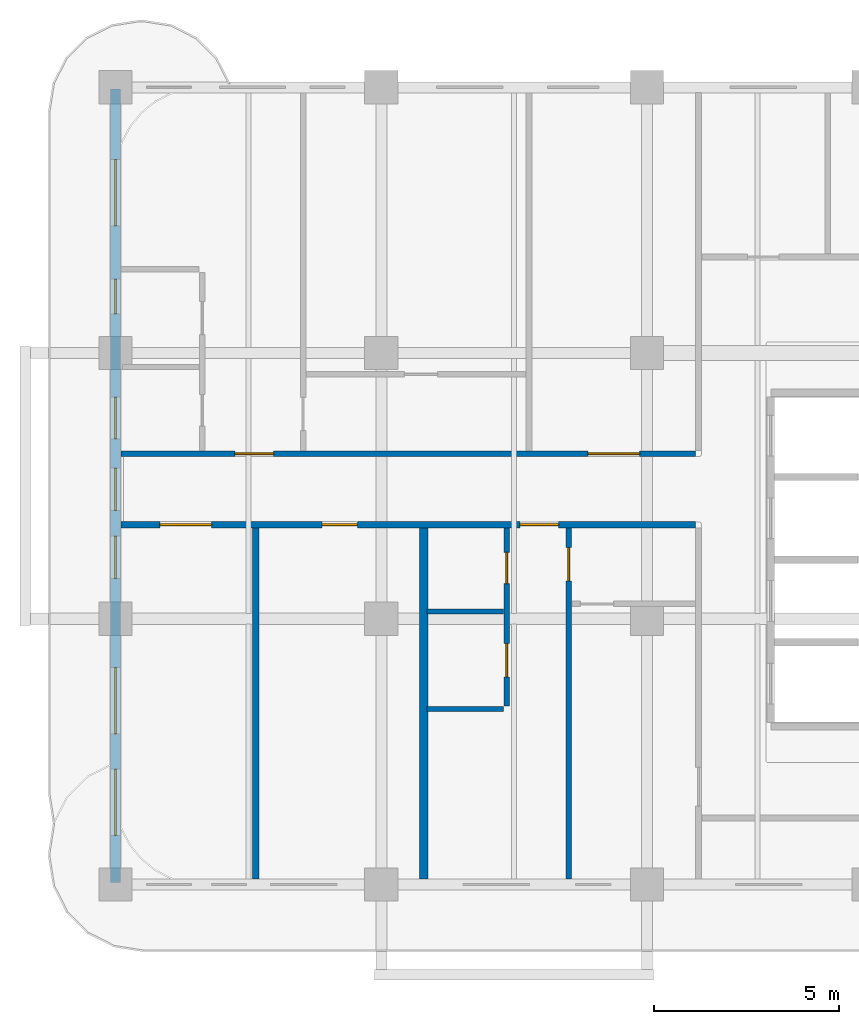
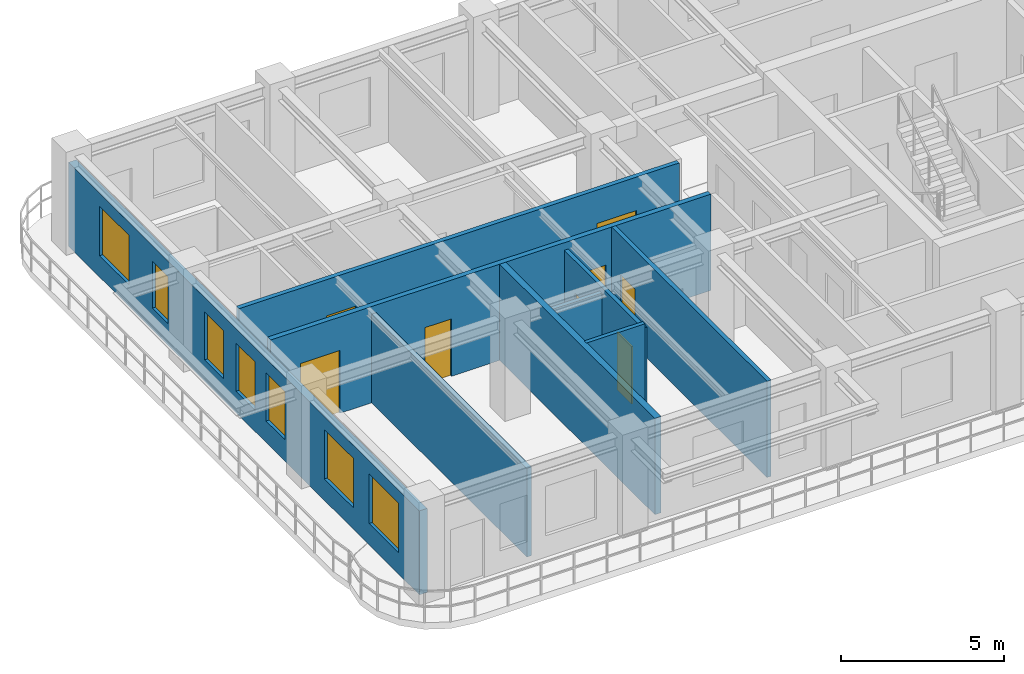
# One storey, part 2 of 8: 9 walls, 8 doors, 7 windows, 15 openings.
"""IFC4 building model written with IfcOpenShell, lengths in metres."""

from ifc_helpers import new_model, si_unit, derived_unit, direction, frame, frame_2d, origin, place, context, subcontext, project, spatial, rectangle, extrude, source, transform, mapped, material, layer, layer_set, type_object, type_shapes, element, fill, save


model = new_model("IFC4")

# Units and contexts
model_context = context("Model", 3, precision=1e-05, world=origin(), true_north=direction((0.0, 1.0)))
body_context = subcontext(model_context, "Body", "Model", "MODEL_VIEW")
ifc_project = project(units=[si_unit("LENGTHUNIT", "METRE"), si_unit("AREAUNIT", "SQUARE_METRE"), si_unit("VOLUMEUNIT", "CUBIC_METRE"), si_unit("PLANEANGLEUNIT", "RADIAN"), si_unit("MASSUNIT", "GRAM", prefix="KILO"), si_unit("THERMODYNAMICTEMPERATUREUNIT", "KELVIN"), si_unit("POWERUNIT", "WATT"), derived_unit("THERMALTRANSMITTANCEUNIT", [(si_unit("POWERUNIT", "WATT"), 1), (si_unit("AREAUNIT", "SQUARE_METRE"), -1), (si_unit("THERMODYNAMICTEMPERATUREUNIT", "KELVIN"), -1)])], contexts=[model_context])

# Site, building, storey
site_placement = place(None, origin())
site = spatial("IfcSite", under=ifc_project, at=site_placement, CompositionType="ELEMENT")
building_placement = place(site_placement, origin())
building = spatial("IfcBuilding", under=site, at=building_placement, Name="Zahravan Archway Hotel and Residences", CompositionType="ELEMENT")
storey_placement = place(building_placement, frame((0.0, 0.0, 228.85009765625)))
storey = spatial("IfcBuildingStorey", under=building, at=storey_placement, Name="L57", CompositionType="ELEMENT", Elevation=228.85009765625)

# Wall, openings, windows
ifc_material_1 = material(Name="Honed Red-Ochre Sandstone & Insulated Block", Category="masonry")
ifc_layer_1 = layer(ifc_material_1, 0.280029296875, Name="Honed Red-Ochre Sandstone & Insulated Block", Category="masonry")
ifc_layer_set_1 = layer_set([ifc_layer_1], Name="Honed Red-Ochre Sandstone & Insulated Block")
wall_type_1 = type_object("IfcWallType", Name="EW-LOG-280", PredefinedType="SOLIDWALL", material=ifc_layer_set_1)
wall_1_placement = place(storey_placement, frame((14.39990234375, 0.050048828125, 0.0), z_axis=(0.0, 0.0, 1.0), x_axis=(0.0, 1.0, 0.0)))
wall_1 = element("IfcWall", 1, at=wall_1_placement, inside=storey, type_object=wall_type_1, Name="L57 Exterior Sandstone Wall WA-W", PredefinedType="SOLIDWALL", context=body_context, shape_type="SweptSolid", body=[
    extrude(rectangle(XDim=21.5, YDim=0.280029296875, at=frame_2d((10.75, 0.0))), origin(), (0.0, 0.0, 1.0), 3.135009765625),
])
opening_1_placement = place(wall_1_placement, frame((1.27490234375, 0.0, 0.800048828125)))
opening_1 = element("IfcOpeningElement", 2, at=opening_1_placement, cuts=wall_1, Name="Opening W-02", PredefinedType="OPENING", context=body_context, shape_type="SweptSolid", body=[
    extrude(rectangle(XDim=1.800048828125, YDim=1.85009765625, at=frame_2d((0.89990234375, 0.925048828125))), frame((0.0, 0.14990234375, 0.0), z_axis=(0.0, -1.0, 0.0), x_axis=(1.0, 0.0, 0.0)), (0.0, 0.0, 1.0), 0.300048828125),
])
opening_2_placement = place(wall_1_placement, frame((4.02490234375, 0.0, 0.800048828125)))
opening_2 = element("IfcOpeningElement", 3, at=opening_2_placement, cuts=wall_1, Name="Opening W-02", PredefinedType="OPENING", context=body_context, shape_type="SweptSolid", body=[
    extrude(rectangle(XDim=1.800048828125, YDim=1.85009765625, at=frame_2d((0.89990234375, 0.925048828125))), frame((0.0, 0.14990234375, 0.0), z_axis=(0.0, -1.0, 0.0), x_axis=(1.0, 0.0, 0.0)), (0.0, 0.0, 1.0), 0.300048828125),
])
opening_3_placement = place(wall_1_placement, frame((8.24609375, 0.0, 0.800048828125)))
opening_3 = element("IfcOpeningElement", 4, at=opening_3_placement, cuts=wall_1, Name="Opening W-05", PredefinedType="OPENING", context=body_context, shape_type="SweptSolid", body=[
    extrude(rectangle(XDim=1.14990234375, YDim=1.800048828125, at=frame_2d((0.574951171875, 0.89990234375))), frame((0.0, 0.14990234375, 0.0), z_axis=(0.0, -1.0, 0.0), x_axis=(1.0, 0.0, 0.0)), (0.0, 0.0, 1.0), 0.300048828125),
])
opening_4_placement = place(wall_1_placement, frame((10.0849609375, 0.0, 0.800048828125)))
opening_4 = element("IfcOpeningElement", 5, at=opening_4_placement, cuts=wall_1, Name="Opening W-05", PredefinedType="OPENING", context=body_context, shape_type="SweptSolid", body=[
    extrude(rectangle(XDim=1.14990234375, YDim=1.800048828125, at=frame_2d((0.574951171875, 0.89990234375))), frame((0.0, 0.14990234375, 0.0), z_axis=(0.0, -1.0, 0.0), x_axis=(1.0, 0.0, 0.0)), (0.0, 0.0, 1.0), 0.300048828125),
])
opening_5_placement = place(wall_1_placement, frame((12.013916015625, 0.0, 0.800048828125)))
opening_5 = element("IfcOpeningElement", 6, at=opening_5_placement, cuts=wall_1, Name="Opening W-05", PredefinedType="OPENING", context=body_context, shape_type="SweptSolid", body=[
    extrude(rectangle(XDim=1.14990234375, YDim=1.800048828125, at=frame_2d((0.574951171875, 0.89990234375))), frame((0.0, 0.14990234375, 0.0), z_axis=(0.0, -1.0, 0.0), x_axis=(1.0, 0.0, 0.0)), (0.0, 0.0, 1.0), 0.300048828125),
])
opening_6_placement = place(wall_1_placement, frame((15.406005859375, 0.0, 0.800048828125)))
opening_6 = element("IfcOpeningElement", 7, at=opening_6_placement, cuts=wall_1, Name="Opening W-04", PredefinedType="OPENING", context=body_context, shape_type="SweptSolid", body=[
    extrude(rectangle(XDim=0.949951171875, YDim=1.75, at=frame_2d((0.47509765625, 0.875))), frame((0.0, 0.14990234375, 0.0), z_axis=(0.0, -1.0, 0.0), x_axis=(1.0, 0.0, 0.0)), (0.0, 0.0, 1.0), 0.300048828125),
])
opening_7_placement = place(wall_1_placement, frame((17.7890625, 0.0, 0.800048828125)))
opening_7 = element("IfcOpeningElement", 8, at=opening_7_placement, cuts=wall_1, Name="Opening W-02", PredefinedType="OPENING", context=body_context, shape_type="SweptSolid", body=[
    extrude(rectangle(XDim=1.800048828125, YDim=1.85009765625, at=frame_2d((0.89990234375, 0.925048828125))), frame((0.0, 0.14990234375, 0.0), z_axis=(0.0, -1.0, 0.0), x_axis=(1.0, 0.0, 0.0)), (0.0, 0.0, 1.0), 0.300048828125),
])
ifc_material_2 = material(Name="Bronze-Anodized Thermal-Break Aluminium & Low-E Glass", Category="aluminium")
window_type_1 = type_object("IfcWindowType", Name="WIN-NAR-950", PartitioningType="SINGLE_PANEL", PredefinedType="WINDOW", material=ifc_material_2)
shared_shape_1 = source(origin(), body_context, "Body", "SweptSolid", [
    extrude(rectangle(XDim=0.949951171875, YDim=1.75, at=frame_2d((0.47509765625, 0.875))), frame((0.0, 0.030029296875, 0.0), z_axis=(0.0, -1.0, 0.0), x_axis=(1.0, 0.0, 0.0)), (0.0, 0.0, 1.0), 0.06005859375),
])
type_shapes(window_type_1, [shared_shape_1])
window_1_placement = place(opening_6_placement, origin())
window_1 = element("IfcWindow", 9, at=window_1_placement, inside=storey, type_object=window_type_1, Name="L57 Loggia Window 25", OverallHeight=1.75, OverallWidth=0.949951171875, PartitioningType="SINGLE_PANEL", PredefinedType="WINDOW", context=body_context, shape_type="MappedRepresentation", body=[
    mapped(shared_shape_1, transform((0.0, 0.0, 0.0), scale=1.0)),
])
fill(opening_6, window_1)
window_type_2 = type_object("IfcWindowType", Name="WIN-TWR-1800", PartitioningType="DOUBLE_PANEL_VERTICAL", PredefinedType="WINDOW", material=ifc_material_2)
shared_shape_2 = source(origin(), body_context, "Body", "SweptSolid", [
    extrude(rectangle(XDim=1.800048828125, YDim=1.85009765625, at=frame_2d((0.89990234375, 0.925048828125))), frame((0.0, 0.030029296875, 0.0), z_axis=(0.0, -1.0, 0.0), x_axis=(1.0, 0.0, 0.0)), (0.0, 0.0, 1.0), 0.06005859375),
])
type_shapes(window_type_2, [shared_shape_2])
window_2_placement = place(opening_1_placement, origin())
window_2 = element("IfcWindow", 10, at=window_2_placement, inside=storey, type_object=window_type_2, Name="L57 Loggia Window 20", OverallHeight=1.85009765625, OverallWidth=1.800048828125, PartitioningType="DOUBLE_PANEL_VERTICAL", PredefinedType="WINDOW", context=body_context, shape_type="MappedRepresentation", body=[
    mapped(shared_shape_2, transform((0.0, 0.0, 0.0), scale=1.0)),
])
fill(opening_1, window_2)
window_3_placement = place(opening_2_placement, origin())
window_3 = element("IfcWindow", 11, at=window_3_placement, inside=storey, type_object=window_type_2, Name="L57 Loggia Window 21", OverallHeight=1.85009765625, OverallWidth=1.800048828125, PartitioningType="DOUBLE_PANEL_VERTICAL", PredefinedType="WINDOW", context=body_context, shape_type="MappedRepresentation", body=[
    mapped(shared_shape_2, transform((0.0, 0.0, 0.0), scale=1.0)),
])
fill(opening_2, window_3)
window_4_placement = place(opening_7_placement, origin())
window_4 = element("IfcWindow", 12, at=window_4_placement, inside=storey, type_object=window_type_2, Name="L57 Loggia Window 26", OverallHeight=1.85009765625, OverallWidth=1.800048828125, PartitioningType="DOUBLE_PANEL_VERTICAL", PredefinedType="WINDOW", context=body_context, shape_type="MappedRepresentation", body=[
    mapped(shared_shape_2, transform((0.0, 0.0, 0.0), scale=1.0)),
])
fill(opening_7, window_4)
window_type_3 = type_object("IfcWindowType", Name="WIN-TWR-1150", PartitioningType="SINGLE_PANEL", PredefinedType="WINDOW", material=ifc_material_2)
shared_shape_3 = source(origin(), body_context, "Body", "SweptSolid", [
    extrude(rectangle(XDim=1.14990234375, YDim=1.800048828125, at=frame_2d((0.574951171875, 0.89990234375))), frame((0.0, 0.030029296875, 0.0), z_axis=(0.0, -1.0, 0.0), x_axis=(1.0, 0.0, 0.0)), (0.0, 0.0, 1.0), 0.06005859375),
])
type_shapes(window_type_3, [shared_shape_3])
window_5_placement = place(opening_3_placement, origin())
window_5 = element("IfcWindow", 13, at=window_5_placement, inside=storey, type_object=window_type_3, Name="L57 Loggia Window 22", OverallHeight=1.800048828125, OverallWidth=1.14990234375, PartitioningType="SINGLE_PANEL", PredefinedType="WINDOW", context=body_context, shape_type="MappedRepresentation", body=[
    mapped(shared_shape_3, transform((0.0, 0.0, 0.0), scale=1.0)),
])
fill(opening_3, window_5)
window_6_placement = place(opening_4_placement, origin())
window_6 = element("IfcWindow", 14, at=window_6_placement, inside=storey, type_object=window_type_3, Name="L57 Loggia Window 23", OverallHeight=1.800048828125, OverallWidth=1.14990234375, PartitioningType="SINGLE_PANEL", PredefinedType="WINDOW", context=body_context, shape_type="MappedRepresentation", body=[
    mapped(shared_shape_3, transform((0.0, 0.0, 0.0), scale=1.0)),
])
fill(opening_4, window_6)
window_7_placement = place(opening_5_placement, origin())
window_7 = element("IfcWindow", 15, at=window_7_placement, inside=storey, type_object=window_type_3, Name="L57 Loggia Window 24", OverallHeight=1.800048828125, OverallWidth=1.14990234375, PartitioningType="SINGLE_PANEL", PredefinedType="WINDOW", context=body_context, shape_type="MappedRepresentation", body=[
    mapped(shared_shape_3, transform((0.0, 0.0, 0.0), scale=1.0)),
])
fill(opening_5, window_7)

# Wall
ifc_material_3 = material(Name="Fire-Rated Gypsum & Concrete Block", Category="concrete")
ifc_layer_2 = layer(ifc_material_3, 0.219970703125, Name="Fire-Rated Gypsum & Concrete Block", Category="concrete")
ifc_layer_set_2 = layer_set([ifc_layer_2], Name="Fire-Rated Gypsum & Concrete Block")
wall_type_2 = type_object("IfcWallType", Name="PW-COMP-220", PredefinedType="PARTITIONING", material=ifc_layer_set_2)
wall_2_placement = place(storey_placement, frame((22.75, 0.14794921875, 0.0), z_axis=(0.0, 0.0, 1.0), x_axis=(0.0, 1.0, 0.0)))
element("IfcWall", 16, at=wall_2_placement, inside=storey, type_object=wall_type_2, Name="L57 Partition WAS-R2B", PredefinedType="PARTITIONING", context=body_context, shape_type="SweptSolid", body=[
    extrude(rectangle(XDim=9.511962890625, YDim=0.219970703125, at=frame_2d((4.755859375, 0.0))), origin(), (0.0, 0.0, 1.0), 3.599853515625),
])

# Wall, openings, doors
ifc_layer_3 = layer(ifc_material_3, 0.159912109375, Name="Fire-Rated Gypsum & Concrete Block", Category="concrete")
ifc_layer_set_3 = layer_set([ifc_layer_3], Name="Fire-Rated Gypsum & Concrete Block")
wall_type_3 = type_object("IfcWallType", Name="PW-CORR-160", PredefinedType="PARTITIONING", material=ifc_layer_set_3)
wall_3_placement = place(storey_placement, frame((14.548095703125, 11.669921875, 0.0), z_axis=(0.0, 0.0, 1.0), x_axis=(1.0, 0.0, 0.0)))
wall_3 = element("IfcWall", 17, at=wall_3_placement, inside=storey, type_object=wall_type_3, Name="L57 Partition WA-CN", PredefinedType="PARTITIONING", context=body_context, shape_type="SweptSolid", body=[
    extrude(rectangle(XDim=15.56201171875, YDim=0.159912109375, at=frame_2d((7.781005859375, 0.0))), origin(), (0.0, 0.0, 1.0), 3.599853515625),
])
opening_8_placement = place(wall_3_placement, frame((3.08203125, 0.0, 0.0)))
opening_8 = element("IfcOpeningElement", 18, at=opening_8_placement, cuts=wall_3, Name="Opening D-U1", PredefinedType="OPENING", context=body_context, shape_type="SweptSolid", body=[
    extrude(rectangle(XDim=1.050048828125, YDim=2.25, at=frame_2d((0.52490234375, 1.125))), frame((0.0, 0.08984375, 0.0), z_axis=(0.0, -1.0, 0.0), x_axis=(1.0, 0.0, 0.0)), (0.0, 0.0, 1.0), 0.179931640625),
])
opening_9_placement = place(wall_3_placement, frame((12.652099609375, 0.0, 0.0)))
opening_9 = element("IfcOpeningElement", 19, at=opening_9_placement, cuts=wall_3, Name="Opening D-P1", PredefinedType="OPENING", context=body_context, shape_type="SweptSolid", body=[
    extrude(rectangle(XDim=1.39990234375, YDim=2.35009765625, at=frame_2d((0.699951171875, 1.175048828125))), frame((0.0, 0.08984375, 0.0), z_axis=(0.0, -1.0, 0.0), x_axis=(1.0, 0.0, 0.0)), (0.0, 0.0, 1.0), 0.179931640625),
])
ifc_material_4 = material(Name="Bronze-Anodized Glazed Aluminium", Category="aluminium")
door_type_1 = type_object("IfcDoorType", Name="ID-PUBLIC-1400", OperationType="DOUBLE_DOOR_SINGLE_SWING", PredefinedType="DOOR", material=ifc_material_4)
shared_shape_4 = source(origin(), body_context, "Body", "SweptSolid", [
    extrude(rectangle(XDim=1.39990234375, YDim=2.35009765625, at=frame_2d((0.699951171875, 1.175048828125))), frame((0.0, 0.02490234375, 0.0), z_axis=(0.0, -1.0, 0.0), x_axis=(1.0, 0.0, 0.0)), (0.0, 0.0, 1.0), 0.050048828125),
])
type_shapes(door_type_1, [shared_shape_4])
door_1_placement = place(opening_9_placement, origin())
door_1 = element("IfcDoor", 20, at=door_1_placement, inside=storey, type_object=door_type_1, Name="L57 North Sky Library Door", OperationType="DOUBLE_DOOR_SINGLE_SWING", OverallHeight=2.35009765625, OverallWidth=1.39990234375, PredefinedType="DOOR", context=body_context, shape_type="MappedRepresentation", body=[
    mapped(shared_shape_4, transform((0.0, 0.0, 0.0), scale=1.0)),
])
fill(opening_9, door_1)
ifc_material_5 = material(Name="Hardwood Veneer Timber", Category="wood")
door_type_2 = type_object("IfcDoorType", Name="ID-UNIT-1050", OperationType="NOTDEFINED", PredefinedType="DOOR", material=ifc_material_5)
shared_shape_5 = source(origin(), body_context, "Body", "SweptSolid", [
    extrude(rectangle(XDim=1.050048828125, YDim=2.25, at=frame_2d((0.52490234375, 1.125))), frame((0.0, 0.02490234375, 0.0), z_axis=(0.0, -1.0, 0.0), x_axis=(1.0, 0.0, 0.0)), (0.0, 0.0, 1.0), 0.050048828125),
])
type_shapes(door_type_2, [shared_shape_5])
door_2_placement = place(opening_8_placement, origin())
door_2 = element("IfcDoor", 21, at=door_2_placement, inside=storey, type_object=door_type_2, Name="L57 Flat N1 Entrance Door", OperationType="SINGLE_SWING_RIGHT", OverallHeight=2.25, OverallWidth=1.050048828125, PredefinedType="DOOR", context=body_context, shape_type="MappedRepresentation", body=[
    mapped(shared_shape_5, transform((0.0, 0.0, 0.0), scale=1.0)),
])
fill(opening_8, door_2)

ifc_layer_4 = layer(ifc_material_3, 0.179931640625, Name="Fire-Rated Gypsum & Concrete Block", Category="concrete")
ifc_layer_set_4 = layer_set([ifc_layer_4], Name="Fire-Rated Gypsum & Concrete Block")
wall_type_4 = type_object("IfcWallType", Name="PW-CORR-180", PredefinedType="PARTITIONING", material=ifc_layer_set_4)
wall_4_placement = place(storey_placement, frame((14.548095703125, 9.75, 0.0), z_axis=(0.0, 0.0, 1.0), x_axis=(1.0, 0.0, 0.0)))
wall_4 = element("IfcWall", 22, at=wall_4_placement, inside=storey, type_object=wall_type_4, Name="L57 Partition WA-CS", PredefinedType="PARTITIONING", context=body_context, shape_type="SweptSolid", body=[
    extrude(rectangle(XDim=15.56201171875, YDim=0.179931640625, at=frame_2d((7.781005859375, 0.0))), origin(), (0.0, 0.0, 1.0), 3.599853515625),
])
opening_10_placement = place(wall_4_placement, frame((1.052001953125, 0.0, 0.0)))
opening_10 = element("IfcOpeningElement", 23, at=opening_10_placement, cuts=wall_4, Name="Opening D-P1", PredefinedType="OPENING", context=body_context, shape_type="SweptSolid", body=[
    extrude(rectangle(XDim=1.39990234375, YDim=2.35009765625, at=frame_2d((0.699951171875, 1.175048828125))), frame((0.0, 0.10009765625, 0.0), z_axis=(0.0, -1.0, 0.0), x_axis=(1.0, 0.0, 0.0)), (0.0, 0.0, 1.0), 0.199951171875),
])
opening_11_placement = place(wall_4_placement, frame((5.451904296875, 0.0, 0.0)))
opening_11 = element("IfcOpeningElement", 24, at=opening_11_placement, cuts=wall_4, Name="Opening D-I1", PredefinedType="OPENING", context=body_context, shape_type="SweptSolid", body=[
    extrude(rectangle(XDim=0.949951171875, YDim=2.14990234375, at=frame_2d((0.47509765625, 1.074951171875))), frame((0.0, 0.10009765625, 0.0), z_axis=(0.0, -1.0, 0.0), x_axis=(1.0, 0.0, 0.0)), (0.0, 0.0, 1.0), 0.199951171875),
])
opening_12_placement = place(wall_4_placement, frame((10.806884765625, 0.0, 0.0)))
opening_12 = element("IfcOpeningElement", 25, at=opening_12_placement, cuts=wall_4, Name="Opening D-U1", PredefinedType="OPENING", context=body_context, shape_type="SweptSolid", body=[
    extrude(rectangle(XDim=1.050048828125, YDim=2.25, at=frame_2d((0.52490234375, 1.125))), frame((0.0, 0.10009765625, 0.0), z_axis=(0.0, -1.0, 0.0), x_axis=(1.0, 0.0, 0.0)), (0.0, 0.0, 1.0), 0.199951171875),
])
door_3_placement = place(opening_10_placement, origin())
door_3 = element("IfcDoor", 26, at=door_3_placement, inside=storey, type_object=door_type_1, Name="L57 Cinema Salon Door", OperationType="DOUBLE_DOOR_SINGLE_SWING", OverallHeight=2.35009765625, OverallWidth=1.39990234375, PredefinedType="DOOR", context=body_context, shape_type="MappedRepresentation", body=[
    mapped(shared_shape_4, transform((0.0, 0.0, 0.0), scale=1.0)),
])
fill(opening_10, door_3)
door_type_3 = type_object("IfcDoorType", Name="ID-INT-950", OperationType="NOTDEFINED", PredefinedType="DOOR", material=ifc_material_5)
shared_shape_6 = source(origin(), body_context, "Body", "SweptSolid", [
    extrude(rectangle(XDim=0.949951171875, YDim=2.14990234375, at=frame_2d((0.47509765625, 1.074951171875))), frame((0.0, 0.02490234375, 0.0), z_axis=(0.0, -1.0, 0.0), x_axis=(1.0, 0.0, 0.0)), (0.0, 0.0, 1.0), 0.050048828125),
])
type_shapes(door_type_3, [shared_shape_6])
door_4_placement = place(opening_11_placement, origin())
door_4 = element("IfcDoor", 27, at=door_4_placement, inside=storey, type_object=door_type_3, Name="L57 Study Office Door", OperationType="SINGLE_SWING_RIGHT", OverallHeight=2.14990234375, OverallWidth=0.949951171875, PredefinedType="DOOR", context=body_context, shape_type="MappedRepresentation", body=[
    mapped(shared_shape_6, transform((0.0, 0.0, 0.0), scale=1.0)),
])
fill(opening_11, door_4)
door_5_placement = place(opening_12_placement, origin())
door_5 = element("IfcDoor", 28, at=door_5_placement, inside=storey, type_object=door_type_2, Name="L57 Flat S1 Entrance Door", OperationType="SINGLE_SWING_LEFT", OverallHeight=2.25, OverallWidth=1.050048828125, PredefinedType="DOOR", context=body_context, shape_type="MappedRepresentation", body=[
    mapped(shared_shape_5, transform((0.0, 0.0, 0.0), scale=1.0)),
])
fill(opening_12, door_5)

# Wall, opening, door
ifc_material_6 = material(Name="Acoustic Stud Partition")
ifc_layer_5 = layer(ifc_material_6, 0.14990234375, Name="Acoustic Stud Partition")
ifc_layer_set_5 = layer_set([ifc_layer_5], Name="Acoustic Stud Partition")
wall_type_5 = type_object("IfcWallType", Name="PW-UNIT-150", PredefinedType="PARTITIONING", material=ifc_layer_set_5)
wall_5_placement = place(storey_placement, frame((26.679931640625, 0.14794921875, 0.0), z_axis=(0.0, 0.0, 1.0), x_axis=(0.0, 1.0, 0.0)))
wall_5 = element("IfcWall", 29, at=wall_5_placement, inside=storey, type_object=wall_type_5, Name="L57 Partition FL-S1-SP", PredefinedType="PARTITIONING", context=body_context, shape_type="SweptSolid", body=[
    extrude(rectangle(XDim=9.511962890625, YDim=0.14990234375, at=frame_2d((4.755859375, 0.0))), origin(), (0.0, 0.0, 1.0), 3.599853515625),
])
opening_13_placement = place(wall_5_placement, frame((8.076904296875, 0.0, 0.0)))
opening_13 = element("IfcOpeningElement", 30, at=opening_13_placement, cuts=wall_5, Name="Opening D-I2", PredefinedType="OPENING", context=body_context, shape_type="SweptSolid", body=[
    extrude(rectangle(XDim=0.89990234375, YDim=2.14990234375, at=frame_2d((0.449951171875, 1.074951171875))), frame((0.0, 0.0849609375, 0.0), z_axis=(0.0, -1.0, 0.0), x_axis=(1.0, 0.0, 0.0)), (0.0, 0.0, 1.0), 0.169921875),
])
door_type_4 = type_object("IfcDoorType", Name="ID-INT-900", OperationType="NOTDEFINED", PredefinedType="DOOR", material=ifc_material_5)
shared_shape_7 = source(origin(), body_context, "Body", "SweptSolid", [
    extrude(rectangle(XDim=0.89990234375, YDim=2.14990234375, at=frame_2d((0.449951171875, 1.074951171875))), frame((0.0, 0.02490234375, 0.0), z_axis=(0.0, -1.0, 0.0), x_axis=(1.0, 0.0, 0.0)), (0.0, 0.0, 1.0), 0.050048828125),
])
type_shapes(door_type_4, [shared_shape_7])
door_6_placement = place(opening_13_placement, origin())
door_6 = element("IfcDoor", 31, at=door_6_placement, inside=storey, type_object=door_type_4, Name="L57 Flat S1 Bedroom Hall Door", OperationType="SINGLE_SWING_RIGHT", OverallHeight=2.14990234375, OverallWidth=0.89990234375, PredefinedType="DOOR", context=body_context, shape_type="MappedRepresentation", body=[
    mapped(shared_shape_7, transform((0.0, 0.0, 0.0), scale=1.0)),
])
fill(opening_13, door_6)

# Wall
ifc_layer_6 = layer(ifc_material_6, 0.169921875, Name="Acoustic Stud Partition")
ifc_layer_set_6 = layer_set([ifc_layer_6], Name="Acoustic Stud Partition")
wall_type_6 = type_object("IfcWallType", Name="PW-UNIT-170", PredefinedType="PARTITIONING", material=ifc_layer_set_6)
wall_6_placement = place(storey_placement, frame((18.199951171875, 0.14794921875, 0.0), z_axis=(0.0, 0.0, 1.0), x_axis=(0.0, 1.0, 0.0)))
element("IfcWall", 32, at=wall_6_placement, inside=storey, type_object=wall_type_6, Name="L57 Partition WAS-R2A", PredefinedType="PARTITIONING", context=body_context, shape_type="SweptSolid", body=[
    extrude(rectangle(XDim=9.511962890625, YDim=0.169921875, at=frame_2d((4.755859375, 0.0))), origin(), (0.0, 0.0, 1.0), 3.31494140625),
])

# Wall, openings, doors
ifc_material_7 = material(Name="Moisture-Resistant Blockwork", Category="masonry")
ifc_layer_7 = layer(ifc_material_7, 0.139892578125, Name="Moisture-Resistant Blockwork", Category="masonry")
ifc_layer_set_7 = layer_set([ifc_layer_7], Name="Moisture-Resistant Blockwork")
wall_type_7 = type_object("IfcWallType", Name="PW-WET-140", PredefinedType="PARTITIONING", material=ifc_layer_set_7)
wall_7_placement = place(storey_placement, frame((25.0, 4.840087890625, 0.0), z_axis=(0.0, 0.0, 1.0), x_axis=(0.0, 1.0, 0.0)))
wall_7 = element("IfcWall", 33, at=wall_7_placement, inside=storey, type_object=wall_type_7, Name="L57 Partition FL-S1-BV", PredefinedType="PARTITIONING", context=body_context, shape_type="SweptSolid", body=[
    extrude(rectangle(XDim=4.81982421875, YDim=0.139892578125, at=frame_2d((2.409912109375, 0.0))), origin(), (0.0, 0.0, 1.0), 3.31494140625),
])
opening_14_placement = place(wall_7_placement, frame((0.784912109375, 0.0, 0.0)))
opening_14 = element("IfcOpeningElement", 34, at=opening_14_placement, cuts=wall_7, Name="Opening D-I2", PredefinedType="OPENING", context=body_context, shape_type="SweptSolid", body=[
    extrude(rectangle(XDim=0.89990234375, YDim=2.14990234375, at=frame_2d((0.449951171875, 1.074951171875))), frame((0.0, 0.080078125, 0.0), z_axis=(0.0, -1.0, 0.0), x_axis=(1.0, 0.0, 0.0)), (0.0, 0.0, 1.0), 0.159912109375),
])
opening_15_placement = place(wall_7_placement, frame((3.31005859375, 0.0, 0.0)))
opening_15 = element("IfcOpeningElement", 35, at=opening_15_placement, cuts=wall_7, Name="Opening D-B1", PredefinedType="OPENING", context=body_context, shape_type="SweptSolid", body=[
    extrude(rectangle(XDim=0.85009765625, YDim=2.10009765625, at=frame_2d((0.425048828125, 1.050048828125))), frame((0.0, 0.080078125, 0.0), z_axis=(0.0, -1.0, 0.0), x_axis=(1.0, 0.0, 0.0)), (0.0, 0.0, 1.0), 0.159912109375),
])
door_type_5 = type_object("IfcDoorType", Name="ID-BATH-850", OperationType="NOTDEFINED", PredefinedType="DOOR", material=ifc_material_5)
shared_shape_8 = source(origin(), body_context, "Body", "SweptSolid", [
    extrude(rectangle(XDim=0.85009765625, YDim=2.10009765625, at=frame_2d((0.425048828125, 1.050048828125))), frame((0.0, 0.02490234375, 0.0), z_axis=(0.0, -1.0, 0.0), x_axis=(1.0, 0.0, 0.0)), (0.0, 0.0, 1.0), 0.050048828125),
])
type_shapes(door_type_5, [shared_shape_8])
door_7_placement = place(opening_15_placement, origin())
door_7 = element("IfcDoor", 36, at=door_7_placement, inside=storey, type_object=door_type_5, Name="L57 Flat S1 Bathroom Door", OperationType="SINGLE_SWING_RIGHT", OverallHeight=2.10009765625, OverallWidth=0.85009765625, PredefinedType="DOOR", context=body_context, shape_type="MappedRepresentation", body=[
    mapped(shared_shape_8, transform((0.0, 0.0, 0.0), scale=1.0)),
])
fill(opening_15, door_7)
door_8_placement = place(opening_14_placement, origin())
door_8 = element("IfcDoor", 37, at=door_8_placement, inside=storey, type_object=door_type_4, Name="L57 Flat S1 Kitchen Door", OperationType="SINGLE_SWING_LEFT", OverallHeight=2.14990234375, OverallWidth=0.89990234375, PredefinedType="DOOR", context=body_context, shape_type="MappedRepresentation", body=[
    mapped(shared_shape_7, transform((0.0, 0.0, 0.0), scale=1.0)),
])
fill(opening_14, door_8)

# Walls
wall_8_placement = place(storey_placement, frame((22.840087890625, 7.39990234375, 0.0), z_axis=(0.0, 0.0, 1.0), x_axis=(1.0, 0.0, 0.0)))
element("IfcWall", 38, at=wall_8_placement, inside=storey, type_object=wall_type_7, Name="L57 Partition FL-S1-BM", PredefinedType="PARTITIONING", context=body_context, shape_type="SweptSolid", body=[
    extrude(rectangle(XDim=2.06982421875, YDim=0.139892578125, at=frame_2d((1.034912109375, 0.0))), origin(), (0.0, 0.0, 1.0), 3.135009765625),
])
wall_9_placement = place(storey_placement, frame((22.840087890625, 4.75, 0.0), z_axis=(0.0, 0.0, 1.0), x_axis=(1.0, 0.0, 0.0)))
element("IfcWall", 39, at=wall_9_placement, inside=storey, type_object=wall_type_7, Name="L57 Partition FL-S1-KH", PredefinedType="PARTITIONING", context=body_context, shape_type="SweptSolid", body=[
    extrude(rectangle(XDim=2.06982421875, YDim=0.139892578125, at=frame_2d((1.034912109375, 0.0))), origin(), (0.0, 0.0, 1.0), 3.599853515625),
])

save(model, "model.ifc")
